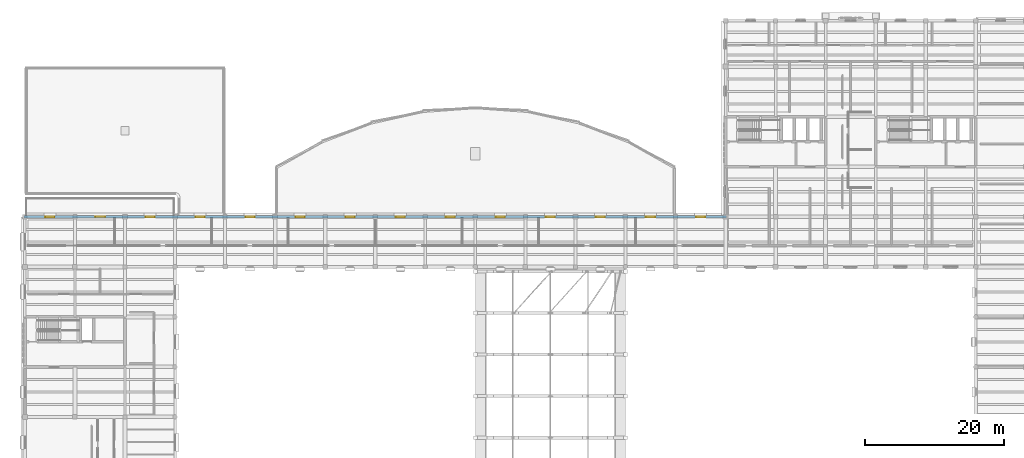
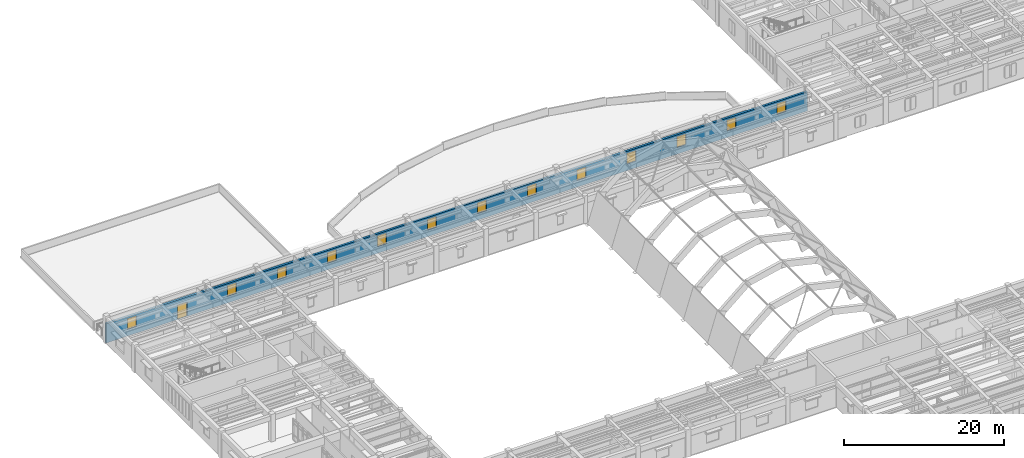
# One storey, part 44 of 66: 13 windows, 1 door, 1 wall, 14 openings.
"""IFC4 building model written with IfcOpenShell, lengths in metres."""

from ifc_helpers import new_model, si_unit, direction, frame, frame_2d, origin, place, context, subcontext, project, spatial, rectangle, extrude, material, layer, layer_set, type_object, element, fill, save


model = new_model("IFC4")

# Units and contexts
model_context = context("Model", 3, precision=1e-05, world=origin(), true_north=direction((0.0, 1.0)))
body_context = subcontext(model_context, "Body", "Model", "MODEL_VIEW")
ifc_project = project(units=[si_unit("LENGTHUNIT", "METRE"), si_unit("AREAUNIT", "SQUARE_METRE"), si_unit("VOLUMEUNIT", "CUBIC_METRE"), si_unit("PLANEANGLEUNIT", "RADIAN"), si_unit("MASSUNIT", "GRAM", prefix="KILO")], contexts=[model_context])

# Site, building, storey
site_placement = place(None, origin())
site = spatial("IfcSite", under=ifc_project, at=site_placement, CompositionType="ELEMENT")
building_placement = place(site_placement, origin())
building = spatial("IfcBuilding", under=site, at=building_placement, Name="Mithqara Police Headquarters", CompositionType="ELEMENT")
storey_placement = place(building_placement, frame((0.0, 0.0, 9.60009765625)))
storey = spatial("IfcBuildingStorey", under=building, at=storey_placement, Name="L02", CompositionType="ELEMENT", Elevation=9.60009765625)

# Wall, openings, door, windows
ifc_material_1 = material(Name="Limestone ashlar masonry, 45 MPa", Category="masonry")
ifc_layer = layer(ifc_material_1, 0.320068359375, Name="Limestone ashlar masonry, 45 MPa")
ifc_layer_set = layer_set([ifc_layer], Name="Limestone ashlar masonry, 45 MPa")
wall_type = type_object("IfcWallType", Name="EXT WALL LIMESTONE320", PredefinedType="SOLIDWALL", material=ifc_layer_set)
wall_placement = place(storey_placement, frame((108.760009765625, 85.800048828125, 0.0), z_axis=(0.0, 0.0, 1.0), x_axis=(-1.0, 0.0, 0.0)))
wall = element("IfcWall", 1, at=wall_placement, inside=storey, type_object=wall_type, Name="L02 Exterior Wall 12.1", PredefinedType="SOLIDWALL", context=body_context, shape_type="SweptSolid", body=[
    extrude(rectangle(XDim=101.1201171875, YDim=0.320068359375, at=frame_2d((50.56005859375, 0.0))), origin(), (0.0, 0.0, 1.0), 2.93994140625),
])
opening_1_placement = place(wall_placement, frame((89.4150390625, 0.0, 0.0)))
opening_1 = element("IfcOpeningElement", 2, at=opening_1_placement, cuts=wall, Name="Opening TD-02", PredefinedType="OPENING", context=body_context, shape_type="SweptSolid", body=[
    extrude(rectangle(XDim=1.39990234375, YDim=2.199951171875, at=frame_2d((0.699951171875, 1.10009765625))), frame((0.0, 0.169921875, 0.0), z_axis=(0.0, -1.0, 0.0), x_axis=(1.0, 0.0, 0.0)), (0.0, 0.0, 1.0), 0.340087890625),
])
opening_2_placement = place(wall_placement, frame((96.7099609375, 0.0, 1.0)))
opening_2 = element("IfcOpeningElement", 3, at=opening_2_placement, cuts=wall, Name="Opening W-17", PredefinedType="OPENING", context=body_context, shape_type="SweptSolid", body=[
    extrude(rectangle(XDim=1.300048828125, YDim=1.64990234375, at=frame_2d((0.64990234375, 0.824951171875))), frame((0.0, 0.169921875, 0.0), z_axis=(0.0, -1.0, 0.0), x_axis=(1.0, 0.0, 0.0)), (0.0, 0.0, 1.0), 0.340087890625),
])
opening_3_placement = place(wall_placement, frame((82.31005859375, 0.0, 1.0)))
opening_3 = element("IfcOpeningElement", 4, at=opening_3_placement, cuts=wall, Name="Opening W-17", PredefinedType="OPENING", context=body_context, shape_type="SweptSolid", body=[
    extrude(rectangle(XDim=1.300048828125, YDim=1.64990234375, at=frame_2d((0.64990234375, 0.824951171875))), frame((0.0, 0.169921875, 0.0), z_axis=(0.0, -1.0, 0.0), x_axis=(1.0, 0.0, 0.0)), (0.0, 0.0, 1.0), 0.340087890625),
])
opening_4_placement = place(wall_placement, frame((75.110107421875, 0.0, 1.0)))
opening_4 = element("IfcOpeningElement", 5, at=opening_4_placement, cuts=wall, Name="Opening W-17", PredefinedType="OPENING", context=body_context, shape_type="SweptSolid", body=[
    extrude(rectangle(XDim=1.300048828125, YDim=1.64990234375, at=frame_2d((0.64990234375, 0.824951171875))), frame((0.0, 0.169921875, 0.0), z_axis=(0.0, -1.0, 0.0), x_axis=(1.0, 0.0, 0.0)), (0.0, 0.0, 1.0), 0.340087890625),
])
opening_5_placement = place(wall_placement, frame((67.909912109375, 0.0, 1.0)))
opening_5 = element("IfcOpeningElement", 6, at=opening_5_placement, cuts=wall, Name="Opening W-17", PredefinedType="OPENING", context=body_context, shape_type="SweptSolid", body=[
    extrude(rectangle(XDim=1.300048828125, YDim=1.64990234375, at=frame_2d((0.64990234375, 0.824951171875))), frame((0.0, 0.169921875, 0.0), z_axis=(0.0, -1.0, 0.0), x_axis=(1.0, 0.0, 0.0)), (0.0, 0.0, 1.0), 0.340087890625),
])
opening_6_placement = place(wall_placement, frame((60.7099609375, 0.0, 1.0)))
opening_6 = element("IfcOpeningElement", 7, at=opening_6_placement, cuts=wall, Name="Opening W-17", PredefinedType="OPENING", context=body_context, shape_type="SweptSolid", body=[
    extrude(rectangle(XDim=1.300048828125, YDim=1.64990234375, at=frame_2d((0.64990234375, 0.824951171875))), frame((0.0, 0.169921875, 0.0), z_axis=(0.0, -1.0, 0.0), x_axis=(1.0, 0.0, 0.0)), (0.0, 0.0, 1.0), 0.340087890625),
])
opening_7_placement = place(wall_placement, frame((53.510009765625, 0.0, 1.0)))
opening_7 = element("IfcOpeningElement", 8, at=opening_7_placement, cuts=wall, Name="Opening W-17", PredefinedType="OPENING", context=body_context, shape_type="SweptSolid", body=[
    extrude(rectangle(XDim=1.300048828125, YDim=1.64990234375, at=frame_2d((0.64990234375, 0.824951171875))), frame((0.0, 0.169921875, 0.0), z_axis=(0.0, -1.0, 0.0), x_axis=(1.0, 0.0, 0.0)), (0.0, 0.0, 1.0), 0.340087890625),
])
opening_8_placement = place(wall_placement, frame((46.31005859375, 0.0, 1.0)))
opening_8 = element("IfcOpeningElement", 9, at=opening_8_placement, cuts=wall, Name="Opening W-17", PredefinedType="OPENING", context=body_context, shape_type="SweptSolid", body=[
    extrude(rectangle(XDim=1.300048828125, YDim=1.64990234375, at=frame_2d((0.64990234375, 0.824951171875))), frame((0.0, 0.169921875, 0.0), z_axis=(0.0, -1.0, 0.0), x_axis=(1.0, 0.0, 0.0)), (0.0, 0.0, 1.0), 0.340087890625),
])
opening_9_placement = place(wall_placement, frame((39.110107421875, 0.0, 1.0)))
opening_9 = element("IfcOpeningElement", 10, at=opening_9_placement, cuts=wall, Name="Opening W-17", PredefinedType="OPENING", context=body_context, shape_type="SweptSolid", body=[
    extrude(rectangle(XDim=1.300048828125, YDim=1.64990234375, at=frame_2d((0.64990234375, 0.824951171875))), frame((0.0, 0.169921875, 0.0), z_axis=(0.0, -1.0, 0.0), x_axis=(1.0, 0.0, 0.0)), (0.0, 0.0, 1.0), 0.340087890625),
])
opening_10_placement = place(wall_placement, frame((31.909912109375, 0.0, 1.0)))
opening_10 = element("IfcOpeningElement", 11, at=opening_10_placement, cuts=wall, Name="Opening W-17", PredefinedType="OPENING", context=body_context, shape_type="SweptSolid", body=[
    extrude(rectangle(XDim=1.300048828125, YDim=1.64990234375, at=frame_2d((0.64990234375, 0.824951171875))), frame((0.0, 0.169921875, 0.0), z_axis=(0.0, -1.0, 0.0), x_axis=(1.0, 0.0, 0.0)), (0.0, 0.0, 1.0), 0.340087890625),
])
opening_11_placement = place(wall_placement, frame((24.7099609375, 0.0, 1.0)))
opening_11 = element("IfcOpeningElement", 12, at=opening_11_placement, cuts=wall, Name="Opening W-17", PredefinedType="OPENING", context=body_context, shape_type="SweptSolid", body=[
    extrude(rectangle(XDim=1.300048828125, YDim=1.64990234375, at=frame_2d((0.64990234375, 0.824951171875))), frame((0.0, 0.169921875, 0.0), z_axis=(0.0, -1.0, 0.0), x_axis=(1.0, 0.0, 0.0)), (0.0, 0.0, 1.0), 0.340087890625),
])
opening_12_placement = place(wall_placement, frame((17.510009765625, 0.0, 1.0)))
opening_12 = element("IfcOpeningElement", 13, at=opening_12_placement, cuts=wall, Name="Opening W-17", PredefinedType="OPENING", context=body_context, shape_type="SweptSolid", body=[
    extrude(rectangle(XDim=1.300048828125, YDim=1.64990234375, at=frame_2d((0.64990234375, 0.824951171875))), frame((0.0, 0.169921875, 0.0), z_axis=(0.0, -1.0, 0.0), x_axis=(1.0, 0.0, 0.0)), (0.0, 0.0, 1.0), 0.340087890625),
])
opening_13_placement = place(wall_placement, frame((10.31005859375, 0.0, 1.0)))
opening_13 = element("IfcOpeningElement", 14, at=opening_13_placement, cuts=wall, Name="Opening W-17", PredefinedType="OPENING", context=body_context, shape_type="SweptSolid", body=[
    extrude(rectangle(XDim=1.300048828125, YDim=1.64990234375, at=frame_2d((0.64990234375, 0.824951171875))), frame((0.0, 0.169921875, 0.0), z_axis=(0.0, -1.0, 0.0), x_axis=(1.0, 0.0, 0.0)), (0.0, 0.0, 1.0), 0.340087890625),
])
opening_14_placement = place(wall_placement, frame((3.110107421875, 0.0, 1.0)))
opening_14 = element("IfcOpeningElement", 15, at=opening_14_placement, cuts=wall, Name="Opening W-17", PredefinedType="OPENING", context=body_context, shape_type="SweptSolid", body=[
    extrude(rectangle(XDim=1.300048828125, YDim=1.64990234375, at=frame_2d((0.64990234375, 0.824951171875))), frame((0.0, 0.169921875, 0.0), z_axis=(0.0, -1.0, 0.0), x_axis=(1.0, 0.0, 0.0)), (0.0, 0.0, 1.0), 0.340087890625),
])
ifc_material_2 = material(Name="Bronze anodised aluminium 6063-T6", Category="aluminium")
door_type = type_object("IfcDoorType", Name="EXT DOOR TERRACE 1400X2200", OperationType="DOUBLE_DOOR_SINGLE_SWING", PredefinedType="DOOR", material=ifc_material_2)
door_placement = place(opening_1_placement, frame((1.39990234375, 0.0, 0.0), z_axis=(0.0, 0.0, 1.0), x_axis=(-1.0, 0.0, 0.0)))
door = element("IfcDoor", 16, at=door_placement, inside=storey, type_object=door_type, Name="L02 Terrace Access Door TER-L02-NW", OperationType="DOUBLE_DOOR_SINGLE_SWING", OverallHeight=2.199951171875, OverallWidth=1.39990234375, PredefinedType="DOOR", context=body_context, shape_type="SweptSolid", body=[
    extrude(rectangle(XDim=1.39990234375, YDim=2.199951171875, at=frame_2d((0.699951171875, 1.10009765625))), frame((0.0, 0.02490234375, 0.0), z_axis=(0.0, -1.0, 0.0), x_axis=(1.0, 0.0, 0.0)), (0.0, 0.0, 1.0), 0.050048828125),
])
fill(opening_1, door)
ifc_material_3 = material(Name="Spectrally selective double low-e glass", Category="glass")
window_type = type_object("IfcWindowType", Name="WINDOW 1300X1650", PartitioningType="SINGLE_PANEL", PredefinedType="WINDOW", material=ifc_material_3)
window_1_placement = place(opening_2_placement, origin())
window_1 = element("IfcWindow", 17, at=window_1_placement, inside=storey, type_object=window_type, Name="L02 Deep-Set Punched Window 12.1", OverallHeight=1.64990234375, OverallWidth=1.300048828125, PartitioningType="SINGLE_PANEL", PredefinedType="WINDOW", context=body_context, shape_type="SweptSolid", body=[
    extrude(rectangle(XDim=1.300048828125, YDim=1.64990234375, at=frame_2d((0.64990234375, 0.824951171875))), frame((0.0, 0.030029296875, 0.0), z_axis=(0.0, -1.0, 0.0), x_axis=(1.0, 0.0, 0.0)), (0.0, 0.0, 1.0), 0.06005859375),
])
fill(opening_2, window_1)
window_2_placement = place(opening_3_placement, origin())
window_2 = element("IfcWindow", 18, at=window_2_placement, inside=storey, type_object=window_type, Name="L02 Deep-Set Punched Window 12.3", OverallHeight=1.64990234375, OverallWidth=1.300048828125, PartitioningType="SINGLE_PANEL", PredefinedType="WINDOW", context=body_context, shape_type="SweptSolid", body=[
    extrude(rectangle(XDim=1.300048828125, YDim=1.64990234375, at=frame_2d((0.64990234375, 0.824951171875))), frame((0.0, 0.030029296875, 0.0), z_axis=(0.0, -1.0, 0.0), x_axis=(1.0, 0.0, 0.0)), (0.0, 0.0, 1.0), 0.06005859375),
])
fill(opening_3, window_2)
window_3_placement = place(opening_4_placement, origin())
window_3 = element("IfcWindow", 19, at=window_3_placement, inside=storey, type_object=window_type, Name="L02 Deep-Set Punched Window 12.4", OverallHeight=1.64990234375, OverallWidth=1.300048828125, PartitioningType="SINGLE_PANEL", PredefinedType="WINDOW", context=body_context, shape_type="SweptSolid", body=[
    extrude(rectangle(XDim=1.300048828125, YDim=1.64990234375, at=frame_2d((0.64990234375, 0.824951171875))), frame((0.0, 0.030029296875, 0.0), z_axis=(0.0, -1.0, 0.0), x_axis=(1.0, 0.0, 0.0)), (0.0, 0.0, 1.0), 0.06005859375),
])
fill(opening_4, window_3)
window_4_placement = place(opening_5_placement, origin())
window_4 = element("IfcWindow", 20, at=window_4_placement, inside=storey, type_object=window_type, Name="L02 Deep-Set Punched Window 12.5", OverallHeight=1.64990234375, OverallWidth=1.300048828125, PartitioningType="SINGLE_PANEL", PredefinedType="WINDOW", context=body_context, shape_type="SweptSolid", body=[
    extrude(rectangle(XDim=1.300048828125, YDim=1.64990234375, at=frame_2d((0.64990234375, 0.824951171875))), frame((0.0, 0.030029296875, 0.0), z_axis=(0.0, -1.0, 0.0), x_axis=(1.0, 0.0, 0.0)), (0.0, 0.0, 1.0), 0.06005859375),
])
fill(opening_5, window_4)
window_5_placement = place(opening_6_placement, origin())
window_5 = element("IfcWindow", 21, at=window_5_placement, inside=storey, type_object=window_type, Name="L02 Deep-Set Punched Window 12.6", OverallHeight=1.64990234375, OverallWidth=1.300048828125, PartitioningType="SINGLE_PANEL", PredefinedType="WINDOW", context=body_context, shape_type="SweptSolid", body=[
    extrude(rectangle(XDim=1.300048828125, YDim=1.64990234375, at=frame_2d((0.64990234375, 0.824951171875))), frame((0.0, 0.030029296875, 0.0), z_axis=(0.0, -1.0, 0.0), x_axis=(1.0, 0.0, 0.0)), (0.0, 0.0, 1.0), 0.06005859375),
])
fill(opening_6, window_5)
window_6_placement = place(opening_7_placement, origin())
window_6 = element("IfcWindow", 22, at=window_6_placement, inside=storey, type_object=window_type, Name="L02 Deep-Set Punched Window 12.7", OverallHeight=1.64990234375, OverallWidth=1.300048828125, PartitioningType="SINGLE_PANEL", PredefinedType="WINDOW", context=body_context, shape_type="SweptSolid", body=[
    extrude(rectangle(XDim=1.300048828125, YDim=1.64990234375, at=frame_2d((0.64990234375, 0.824951171875))), frame((0.0, 0.030029296875, 0.0), z_axis=(0.0, -1.0, 0.0), x_axis=(1.0, 0.0, 0.0)), (0.0, 0.0, 1.0), 0.06005859375),
])
fill(opening_7, window_6)
window_7_placement = place(opening_8_placement, origin())
window_7 = element("IfcWindow", 23, at=window_7_placement, inside=storey, type_object=window_type, Name="L02 Deep-Set Punched Window 12.8", OverallHeight=1.64990234375, OverallWidth=1.300048828125, PartitioningType="SINGLE_PANEL", PredefinedType="WINDOW", context=body_context, shape_type="SweptSolid", body=[
    extrude(rectangle(XDim=1.300048828125, YDim=1.64990234375, at=frame_2d((0.64990234375, 0.824951171875))), frame((0.0, 0.030029296875, 0.0), z_axis=(0.0, -1.0, 0.0), x_axis=(1.0, 0.0, 0.0)), (0.0, 0.0, 1.0), 0.06005859375),
])
fill(opening_8, window_7)
window_8_placement = place(opening_9_placement, origin())
window_8 = element("IfcWindow", 24, at=window_8_placement, inside=storey, type_object=window_type, Name="L02 Deep-Set Punched Window 12.9", OverallHeight=1.64990234375, OverallWidth=1.300048828125, PartitioningType="SINGLE_PANEL", PredefinedType="WINDOW", context=body_context, shape_type="SweptSolid", body=[
    extrude(rectangle(XDim=1.300048828125, YDim=1.64990234375, at=frame_2d((0.64990234375, 0.824951171875))), frame((0.0, 0.030029296875, 0.0), z_axis=(0.0, -1.0, 0.0), x_axis=(1.0, 0.0, 0.0)), (0.0, 0.0, 1.0), 0.06005859375),
])
fill(opening_9, window_8)
window_9_placement = place(opening_10_placement, origin())
window_9 = element("IfcWindow", 25, at=window_9_placement, inside=storey, type_object=window_type, Name="L02 Deep-Set Punched Window 12.10", OverallHeight=1.64990234375, OverallWidth=1.300048828125, PartitioningType="SINGLE_PANEL", PredefinedType="WINDOW", context=body_context, shape_type="SweptSolid", body=[
    extrude(rectangle(XDim=1.300048828125, YDim=1.64990234375, at=frame_2d((0.64990234375, 0.824951171875))), frame((0.0, 0.030029296875, 0.0), z_axis=(0.0, -1.0, 0.0), x_axis=(1.0, 0.0, 0.0)), (0.0, 0.0, 1.0), 0.06005859375),
])
fill(opening_10, window_9)
window_10_placement = place(opening_11_placement, origin())
window_10 = element("IfcWindow", 26, at=window_10_placement, inside=storey, type_object=window_type, Name="L02 Deep-Set Punched Window 12.11", OverallHeight=1.64990234375, OverallWidth=1.300048828125, PartitioningType="SINGLE_PANEL", PredefinedType="WINDOW", context=body_context, shape_type="SweptSolid", body=[
    extrude(rectangle(XDim=1.300048828125, YDim=1.64990234375, at=frame_2d((0.64990234375, 0.824951171875))), frame((0.0, 0.030029296875, 0.0), z_axis=(0.0, -1.0, 0.0), x_axis=(1.0, 0.0, 0.0)), (0.0, 0.0, 1.0), 0.06005859375),
])
fill(opening_11, window_10)
window_11_placement = place(opening_12_placement, origin())
window_11 = element("IfcWindow", 27, at=window_11_placement, inside=storey, type_object=window_type, Name="L02 Deep-Set Punched Window 12.12", OverallHeight=1.64990234375, OverallWidth=1.300048828125, PartitioningType="SINGLE_PANEL", PredefinedType="WINDOW", context=body_context, shape_type="SweptSolid", body=[
    extrude(rectangle(XDim=1.300048828125, YDim=1.64990234375, at=frame_2d((0.64990234375, 0.824951171875))), frame((0.0, 0.030029296875, 0.0), z_axis=(0.0, -1.0, 0.0), x_axis=(1.0, 0.0, 0.0)), (0.0, 0.0, 1.0), 0.06005859375),
])
fill(opening_12, window_11)
window_12_placement = place(opening_13_placement, origin())
window_12 = element("IfcWindow", 28, at=window_12_placement, inside=storey, type_object=window_type, Name="L02 Deep-Set Punched Window 12.13", OverallHeight=1.64990234375, OverallWidth=1.300048828125, PartitioningType="SINGLE_PANEL", PredefinedType="WINDOW", context=body_context, shape_type="SweptSolid", body=[
    extrude(rectangle(XDim=1.300048828125, YDim=1.64990234375, at=frame_2d((0.64990234375, 0.824951171875))), frame((0.0, 0.030029296875, 0.0), z_axis=(0.0, -1.0, 0.0), x_axis=(1.0, 0.0, 0.0)), (0.0, 0.0, 1.0), 0.06005859375),
])
fill(opening_13, window_12)
window_13_placement = place(opening_14_placement, origin())
window_13 = element("IfcWindow", 29, at=window_13_placement, inside=storey, type_object=window_type, Name="L02 Deep-Set Punched Window 12.14", OverallHeight=1.64990234375, OverallWidth=1.300048828125, PartitioningType="SINGLE_PANEL", PredefinedType="WINDOW", context=body_context, shape_type="SweptSolid", body=[
    extrude(rectangle(XDim=1.300048828125, YDim=1.64990234375, at=frame_2d((0.64990234375, 0.824951171875))), frame((0.0, 0.030029296875, 0.0), z_axis=(0.0, -1.0, 0.0), x_axis=(1.0, 0.0, 0.0)), (0.0, 0.0, 1.0), 0.06005859375),
])
fill(opening_14, window_13)

save(model, "model.ifc")
